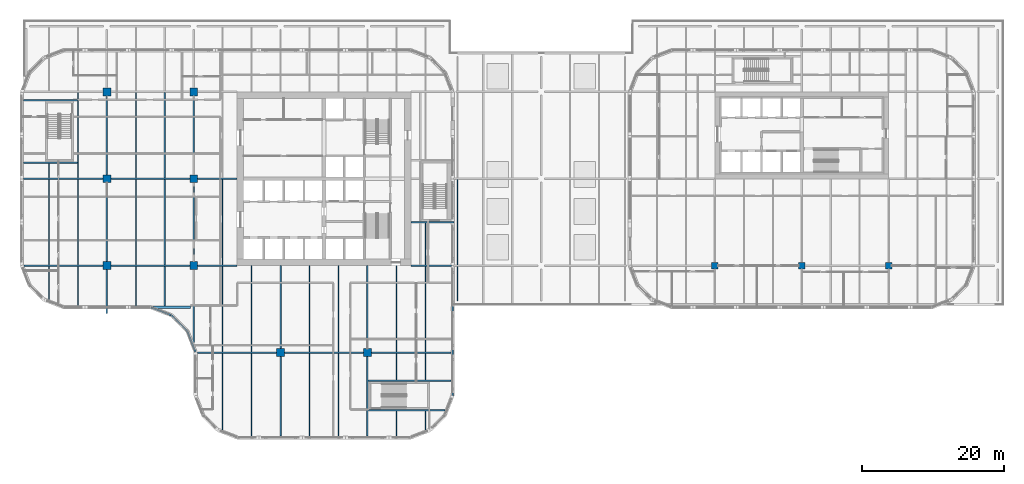
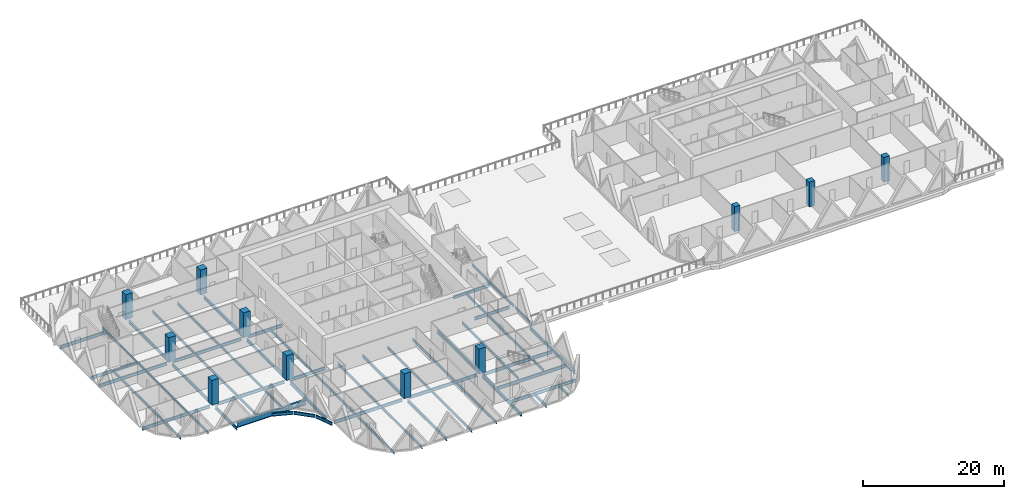
# One storey, part 1 of 21: 60 beams, 11 columns.
"""IFC4 building model written with IfcOpenShell, lengths in metres."""

from ifc_helpers import new_model, si_unit, direction, frame, origin, origin_2d, place, context, subcontext, project, spatial, rectangle, i_section, extrude, material, material_profile, profile_set, type_object, element, save


model = new_model("IFC4")

# Units and contexts
model_context = context("Model", 3, precision=1e-05, world=origin(), true_north=direction((0.0, 1.0)))
body_context = subcontext(model_context, "Body", "Model", "MODEL_VIEW")
ifc_project = project(units=[si_unit("LENGTHUNIT", "METRE"), si_unit("AREAUNIT", "SQUARE_METRE"), si_unit("VOLUMEUNIT", "CUBIC_METRE"), si_unit("PLANEANGLEUNIT", "RADIAN"), si_unit("MASSUNIT", "GRAM", prefix="KILO")], contexts=[model_context])

# Site, building, storey
site_placement = place(None, origin())
site = spatial("IfcSite", under=ifc_project, at=site_placement, CompositionType="ELEMENT")
building_placement = place(site_placement, origin())
building = spatial("IfcBuilding", under=site, at=building_placement, Name="Tessera Gate Towers", CompositionType="ELEMENT")
storey_placement = place(building_placement, frame((0.0, 0.0, 16.800048828125)))
storey = spatial("IfcBuildingStorey", under=building, at=storey_placement, Name="L03", CompositionType="ELEMENT", Elevation=16.800048828125)

# Columns
ifc_material_1 = material(Name="Concrete C70/85", Category="concrete")
ifc_material_profile_1 = material_profile(ifc_material_1, rectangle(XDim=1.10009765625, YDim=1.10009765625, at=origin_2d()), Name="RC 1100x1100")
ifc_profile_set_1 = profile_set([ifc_material_profile_1], Name="Concrete C70/85")
column_type_1 = type_object("IfcColumnType", Name="COLUMN RC 1100x1100", PredefinedType="COLUMN", material=ifc_profile_set_1)
for number, where, z_axis, x_axis, name in (
    (1, (12.199951171875, 24.39990234375, 0.0), (0.0, 0.0, 1.0), (1.0, 0.0, 0.0), "T1-COL-2C-L03"),
    (2, (12.199951171875, 36.60009765625, 0.0), (0.0, 0.0, 1.0), (1.0, 0.0, 0.0), "T1-COL-2D-L03"),
    (3, (12.199951171875, 48.800048828125, 0.0), (0.0, 0.0, 1.0), (1.0, 0.0, 0.0), "T1-COL-2E-L03"),
    (4, (24.39990234375, 24.39990234375, 0.0), (0.0, 0.0, 1.0), (1.0, 0.0, 0.0), "T1-COL-3C-L03"),
    (5, (24.39990234375, 36.60009765625, 0.0), (0.0, 0.0, 1.0), (1.0, 0.0, 0.0), "T1-COL-3D-L03"),
    (6, (24.39990234375, 48.800048828125, 0.0), (0.0, 0.0, 1.0), (1.0, 0.0, 0.0), "T1-COL-3E-L03"),
    (7, (36.60009765625, 12.199951171875, 0.0), (0.0, 0.0, 1.0), (1.0, 0.0, 0.0), "T1-COL-4B-L03"),
    (8, (48.800048828125, 12.199951171875, 0.0), (0.0, 0.0, 1.0), (1.0, 0.0, 0.0), "T1-COL-5B-L03"),
):
    element("IfcColumn", number, at=place(storey_placement, frame(where, z_axis=z_axis, x_axis=x_axis)), inside=storey, type_object=column_type_1, Name=name, PredefinedType="COLUMN", context=body_context, shape_type="SweptSolid", body=[
        extrude(rectangle(XDim=1.10009765625, YDim=1.10009765625, at=origin_2d()), origin(), (0.0, 0.0, 1.0), 4.300048828125),
    ])
ifc_material_2 = material(Name="Concrete C70/85", Category="concrete")
ifc_material_profile_2 = material_profile(ifc_material_2, rectangle(XDim=0.89990234375, YDim=0.89990234375, at=origin_2d()), Name="RC 900x900")
ifc_profile_set_2 = profile_set([ifc_material_profile_2], Name="Concrete C70/85")
column_type_2 = type_object("IfcColumnType", Name="COLUMN RC 900x900", PredefinedType="COLUMN", material=ifc_profile_set_2)
for number, where, z_axis, x_axis, name in (
    (9, (97.60009765625, 24.39990234375, 0.0), (0.0, 0.0, 1.0), (1.0, 0.0, 0.0), "T2-COL-9C-L03"),
    (10, (109.800048828125, 24.39990234375, 0.0), (0.0, 0.0, 1.0), (1.0, 0.0, 0.0), "T2-COL-10C-L03"),
    (11, (122.0, 24.39990234375, 0.0), (0.0, 0.0, 1.0), (1.0, 0.0, 0.0), "T2-COL-11C-L03"),
):
    element("IfcColumn", number, at=place(storey_placement, frame(where, z_axis=z_axis, x_axis=x_axis)), inside=storey, type_object=column_type_2, Name=name, PredefinedType="COLUMN", context=body_context, shape_type="SweptSolid", body=[
        extrude(rectangle(XDim=0.89990234375, YDim=0.89990234375, at=origin_2d()), origin(), (0.0, 0.0, 1.0), 4.300048828125),
    ])

# Beams
ifc_material_3 = material(Name="Steel 350W", Category="steel")
ifc_material_profile_3 = material_profile(ifc_material_3, i_section(OverallWidth=0.208984375, OverallDepth=0.532958984375, WebThickness=0.01025390625, FlangeThickness=0.015625, at=origin_2d()), Name="W530x92")
ifc_profile_set_3 = profile_set([ifc_material_profile_3], Name="Steel 350W")
beam_type_1 = type_object("IfcBeamType", Name="FLOOR GIRDER W530x92", PredefinedType="BEAM", material=ifc_profile_set_3)
beam_1_placement = place(storey_placement, frame((24.89892578125, 12.199951171875, -0.466552734375), z_axis=(1.0, 0.0, 0.0), x_axis=(0.0, 1.0, 0.0)))
element("IfcBeam", 12, at=beam_1_placement, inside=storey, type_object=beam_type_1, Name="T1-GD-L03-563", PredefinedType="BEAM", context=body_context, shape_type="SweptSolid", body=[
    extrude(i_section(OverallWidth=0.208984375, OverallDepth=0.532958984375, WebThickness=0.01025390625, FlangeThickness=0.015625, at=origin_2d()), origin(), (0.0, 0.0, 1.0), 11.151123046875),
])
beam_2_placement = place(storey_placement, frame((37.14990234375, 12.199951171875, -0.466552734375), z_axis=(1.0, 0.0, 0.0), x_axis=(0.0, 1.0, 0.0)))
element("IfcBeam", 13, at=beam_2_placement, inside=storey, type_object=beam_type_1, Name="T1-GD-L03-564", PredefinedType="BEAM", context=body_context, shape_type="SweptSolid", body=[
    extrude(i_section(OverallWidth=0.208984375, OverallDepth=0.532958984375, WebThickness=0.01025390625, FlangeThickness=0.015625, at=origin_2d()), origin(), (0.0, 0.0, 1.0), 11.10009765625),
])
beam_3_placement = place(storey_placement, frame((49.35009765625, 12.199951171875, -0.716552734375), z_axis=(1.0, 0.0, 0.0), x_axis=(0.0, 1.0, 0.0)))
element("IfcBeam", 14, at=beam_3_placement, inside=storey, type_object=beam_type_1, Name="T1-GD-L03-565", PredefinedType="BEAM", context=body_context, shape_type="SweptSolid", body=[
    extrude(i_section(OverallWidth=0.208984375, OverallDepth=0.532958984375, WebThickness=0.01025390625, FlangeThickness=0.015625, at=origin_2d()), origin(), (0.0, 0.0, 1.0), 11.15087890625),
])
beam_4_placement = place(storey_placement, frame((0.534912109375, 24.39990234375, -0.466552734375), z_axis=(1.0, 0.0, 0.0), x_axis=(0.0, 1.0, 0.0)))
element("IfcBeam", 15, at=beam_4_placement, inside=storey, type_object=beam_type_1, Name="T1-GD-L03-566", PredefinedType="BEAM", context=body_context, shape_type="SweptSolid", body=[
    extrude(i_section(OverallWidth=0.208984375, OverallDepth=0.532958984375, WebThickness=0.01025390625, FlangeThickness=0.015625, at=origin_2d()), origin(), (0.0, 0.0, 1.0), 11.114990234375),
])
beam_5_placement = place(storey_placement, frame((12.75, 24.39990234375, -0.466552734375), z_axis=(1.0, 0.0, 0.0), x_axis=(0.0, 1.0, 0.0)))
element("IfcBeam", 16, at=beam_5_placement, inside=storey, type_object=beam_type_1, Name="T1-GD-L03-567", PredefinedType="BEAM", context=body_context, shape_type="SweptSolid", body=[
    extrude(i_section(OverallWidth=0.208984375, OverallDepth=0.532958984375, WebThickness=0.01025390625, FlangeThickness=0.015625, at=origin_2d()), origin(), (0.0, 0.0, 1.0), 11.10009765625),
])
beam_6_placement = place(storey_placement, frame((24.949951171875, 24.39990234375, -0.466552734375), z_axis=(1.0, 0.0, 0.0), x_axis=(0.0, 1.0, 0.0)))
element("IfcBeam", 17, at=beam_6_placement, inside=storey, type_object=beam_type_1, Name="T1-GD-L03-568", PredefinedType="BEAM", context=body_context, shape_type="SweptSolid", body=[
    extrude(i_section(OverallWidth=0.208984375, OverallDepth=0.532958984375, WebThickness=0.01025390625, FlangeThickness=0.015625, at=origin_2d()), origin(), (0.0, 0.0, 1.0), 5.549072265625),
])
beam_7_placement = place(storey_placement, frame((54.90087890625, 24.39990234375, -0.466552734375), z_axis=(1.0, 0.0, 0.0), x_axis=(0.0, 1.0, 0.0)))
element("IfcBeam", 18, at=beam_7_placement, inside=storey, type_object=beam_type_1, Name="T1-GD-L03-569", PredefinedType="BEAM", context=body_context, shape_type="SweptSolid", body=[
    extrude(i_section(OverallWidth=0.208984375, OverallDepth=0.532958984375, WebThickness=0.01025390625, FlangeThickness=0.015625, at=origin_2d()), origin(), (0.0, 0.0, 1.0), 5.72265625),
])
beam_8_placement = place(storey_placement, frame((0.4990234375, 36.60009765625, -0.466552734375), z_axis=(1.0, 0.0, 0.0), x_axis=(0.0, 1.0, 0.0)))
element("IfcBeam", 19, at=beam_8_placement, inside=storey, type_object=beam_type_1, Name="T1-GD-L03-570", PredefinedType="BEAM", context=body_context, shape_type="SweptSolid", body=[
    extrude(i_section(OverallWidth=0.208984375, OverallDepth=0.532958984375, WebThickness=0.01025390625, FlangeThickness=0.015625, at=origin_2d()), origin(), (0.0, 0.0, 1.0), 11.15087890625),
])
beam_9_placement = place(storey_placement, frame((12.75, 36.60009765625, -0.466552734375), z_axis=(1.0, 0.0, 0.0), x_axis=(0.0, 1.0, 0.0)))
element("IfcBeam", 20, at=beam_9_placement, inside=storey, type_object=beam_type_1, Name="T1-GD-L03-571", PredefinedType="BEAM", context=body_context, shape_type="SweptSolid", body=[
    extrude(i_section(OverallWidth=0.208984375, OverallDepth=0.532958984375, WebThickness=0.01025390625, FlangeThickness=0.015625, at=origin_2d()), origin(), (0.0, 0.0, 1.0), 11.10009765625),
])
beam_10_placement = place(storey_placement, frame((24.949951171875, 36.60009765625, -0.466552734375), z_axis=(1.0, 0.0, 0.0), x_axis=(0.0, 1.0, 0.0)))
element("IfcBeam", 21, at=beam_10_placement, inside=storey, type_object=beam_type_1, Name="T1-GD-L03-572", PredefinedType="BEAM", context=body_context, shape_type="SweptSolid", body=[
    extrude(i_section(OverallWidth=0.208984375, OverallDepth=0.532958984375, WebThickness=0.01025390625, FlangeThickness=0.015625, at=origin_2d()), origin(), (0.0, 0.0, 1.0), 5.551025390625),
])
beam_11_placement = place(storey_placement, frame((12.199951171875, 17.710693359375, -0.466552734375), z_axis=(0.0, 1.0, 0.0), x_axis=(-1.0, 0.0, 0.0)))
element("IfcBeam", 22, at=beam_11_placement, inside=storey, type_object=beam_type_1, Name="T1-GD-L03-578", PredefinedType="BEAM", context=body_context, shape_type="SweptSolid", body=[
    extrude(i_section(OverallWidth=0.208984375, OverallDepth=0.532958984375, WebThickness=0.01025390625, FlangeThickness=0.015625, at=origin_2d()), origin(), (0.0, 0.0, 1.0), 6.139404296875),
])
for number, where, z_axis, x_axis, name in (
    (23, (12.199951171875, 24.949951171875, -0.466552734375), (0.0, 1.0, 0.0), (-1.0, 0.0, 0.0), "T1-GD-L03-579"),
    (24, (12.199951171875, 37.14990234375, -0.466552734375), (0.0, 1.0, 0.0), (-1.0, 0.0, 0.0), "T1-GD-L03-580"),
):
    element("IfcBeam", number, at=place(storey_placement, frame(where, z_axis=z_axis, x_axis=x_axis)), inside=storey, type_object=beam_type_1, Name=name, PredefinedType="BEAM", context=body_context, shape_type="SweptSolid", body=[
        extrude(i_section(OverallWidth=0.208984375, OverallDepth=0.532958984375, WebThickness=0.01025390625, FlangeThickness=0.015625, at=origin_2d()), origin(), (0.0, 0.0, 1.0), 11.10009765625),
    ])
beam_12_placement = place(storey_placement, frame((24.39990234375, 13.58642578125, -0.466552734375), z_axis=(0.0, 1.0, 0.0), x_axis=(-1.0, 0.0, 0.0)))
element("IfcBeam", 25, at=beam_12_placement, inside=storey, type_object=beam_type_1, Name="T1-GD-L03-582", PredefinedType="BEAM", context=body_context, shape_type="SweptSolid", body=[
    extrude(i_section(OverallWidth=0.208984375, OverallDepth=0.532958984375, WebThickness=0.01025390625, FlangeThickness=0.015625, at=origin_2d()), origin(), (0.0, 0.0, 1.0), 10.263671875),
])
for number, where, z_axis, x_axis, name in (
    (26, (24.39990234375, 24.949951171875, -0.466552734375), (0.0, 1.0, 0.0), (-1.0, 0.0, 0.0), "T1-GD-L03-583"),
    (27, (24.39990234375, 37.14990234375, -0.466552734375), (0.0, 1.0, 0.0), (-1.0, 0.0, 0.0), "T1-GD-L03-584"),
):
    element("IfcBeam", number, at=place(storey_placement, frame(where, z_axis=z_axis, x_axis=x_axis)), inside=storey, type_object=beam_type_1, Name=name, PredefinedType="BEAM", context=body_context, shape_type="SweptSolid", body=[
        extrude(i_section(OverallWidth=0.208984375, OverallDepth=0.532958984375, WebThickness=0.01025390625, FlangeThickness=0.015625, at=origin_2d()), origin(), (0.0, 0.0, 1.0), 11.10009765625),
    ])
beam_13_placement = place(storey_placement, frame((36.60009765625, 0.4990234375, -0.466552734375), z_axis=(0.0, 1.0, 0.0), x_axis=(-1.0, 0.0, 0.0)))
element("IfcBeam", 28, at=beam_13_placement, inside=storey, type_object=beam_type_1, Name="T1-GD-L03-586", PredefinedType="BEAM", context=body_context, shape_type="SweptSolid", body=[
    extrude(i_section(OverallWidth=0.208984375, OverallDepth=0.532958984375, WebThickness=0.01025390625, FlangeThickness=0.015625, at=origin_2d()), origin(), (0.0, 0.0, 1.0), 11.15087890625),
])
beam_14_placement = place(storey_placement, frame((36.60009765625, 12.75, -0.466552734375), z_axis=(0.0, 1.0, 0.0), x_axis=(-1.0, 0.0, 0.0)))
element("IfcBeam", 29, at=beam_14_placement, inside=storey, type_object=beam_type_1, Name="T1-GD-L03-587", PredefinedType="BEAM", context=body_context, shape_type="SweptSolid", body=[
    extrude(i_section(OverallWidth=0.208984375, OverallDepth=0.532958984375, WebThickness=0.01025390625, FlangeThickness=0.015625, at=origin_2d()), origin(), (0.0, 0.0, 1.0), 11.64990234375),
])
beam_15_placement = place(storey_placement, frame((48.800048828125, 0.4990234375, -0.466552734375), z_axis=(0.0, 1.0, 0.0), x_axis=(-1.0, 0.0, 0.0)))
element("IfcBeam", 30, at=beam_15_placement, inside=storey, type_object=beam_type_1, Name="T1-GD-L03-588", PredefinedType="BEAM", context=body_context, shape_type="SweptSolid", body=[
    extrude(i_section(OverallWidth=0.208984375, OverallDepth=0.532958984375, WebThickness=0.01025390625, FlangeThickness=0.015625, at=origin_2d()), origin(), (0.0, 0.0, 1.0), 11.15087890625),
])
beam_16_placement = place(storey_placement, frame((48.800048828125, 12.75, -0.466552734375), z_axis=(0.0, 1.0, 0.0), x_axis=(-1.0, 0.0, 0.0)))
element("IfcBeam", 31, at=beam_16_placement, inside=storey, type_object=beam_type_1, Name="T1-GD-L03-589", PredefinedType="BEAM", context=body_context, shape_type="SweptSolid", body=[
    extrude(i_section(OverallWidth=0.208984375, OverallDepth=0.532958984375, WebThickness=0.01025390625, FlangeThickness=0.015625, at=origin_2d()), origin(), (0.0, 0.0, 1.0), 11.64990234375),
])
for number, where, z_axis, x_axis, name in (
    (32, (0.4990234375, 38.8798828125, -0.466552734375), (1.0, 0.0, 0.0), (0.0, 1.0, 0.0), "T1-GD-L03-590"),
    (33, (0.4990234375, 47.6201171875, -0.466552734375), (1.0, 0.0, 0.0), (0.0, 1.0, 0.0), "T1-GD-L03-591"),
):
    element("IfcBeam", number, at=place(storey_placement, frame(where, z_axis=z_axis, x_axis=x_axis)), inside=storey, type_object=beam_type_1, Name=name, PredefinedType="BEAM", context=body_context, shape_type="SweptSolid", body=[
        extrude(i_section(OverallWidth=0.208984375, OverallDepth=0.532958984375, WebThickness=0.01025390625, FlangeThickness=0.015625, at=origin_2d()), origin(), (0.0, 0.0, 1.0), 7.557861328125),
    ])
beam_17_placement = place(storey_placement, frame((48.87646484375, 4.080078125, -0.466552734375), z_axis=(1.0, 0.0, 0.0), x_axis=(0.0, 1.0, 0.0)))
element("IfcBeam", 34, at=beam_17_placement, inside=storey, type_object=beam_type_1, Name="T1-GD-L03-592", PredefinedType="BEAM", context=body_context, shape_type="SweptSolid", body=[
    extrude(i_section(OverallWidth=0.208984375, OverallDepth=0.532958984375, WebThickness=0.01025390625, FlangeThickness=0.015625, at=origin_2d()), origin(), (0.0, 0.0, 1.0), 10.809326171875),
])
beam_18_placement = place(storey_placement, frame((48.87646484375, 8.219970703125, -0.716552734375), z_axis=(1.0, 0.0, 0.0), x_axis=(0.0, 1.0, 0.0)))
element("IfcBeam", 35, at=beam_18_placement, inside=storey, type_object=beam_type_1, Name="T1-GD-L03-593", PredefinedType="BEAM", context=body_context, shape_type="SweptSolid", body=[
    extrude(i_section(OverallWidth=0.208984375, OverallDepth=0.532958984375, WebThickness=0.01025390625, FlangeThickness=0.015625, at=origin_2d()), origin(), (0.0, 0.0, 1.0), 11.62451171875),
])
beam_19_placement = place(storey_placement, frame((54.89892578125, 30.47998046875, -0.466552734375), z_axis=(1.0, 0.0, 0.0), x_axis=(0.0, 1.0, 0.0)))
element("IfcBeam", 36, at=beam_19_placement, inside=storey, type_object=beam_type_1, Name="T1-GD-L03-594", PredefinedType="BEAM", context=body_context, shape_type="SweptSolid", body=[
    extrude(i_section(OverallWidth=0.208984375, OverallDepth=0.532958984375, WebThickness=0.01025390625, FlangeThickness=0.015625, at=origin_2d()), origin(), (0.0, 0.0, 1.0), 6.024658203125),
])
beam_20_placement = place(storey_placement, frame((60.75, 6.10009765625, -0.716552734375), z_axis=(0.0, 1.0, 0.0), x_axis=(-1.0, 0.0, 0.0)))
element("IfcBeam", 37, at=beam_20_placement, inside=storey, type_object=beam_type_1, Name="PD-R-GD-L03-708", PredefinedType="BEAM", context=body_context, shape_type="SweptSolid", body=[
    extrude(i_section(OverallWidth=0.208984375, OverallDepth=0.532958984375, WebThickness=0.01025390625, FlangeThickness=0.015625, at=origin_2d()), origin(), (0.0, 0.0, 1.0), 12.699951171875),
])
beam_21_placement = place(storey_placement, frame((18.389892578125, 18.533203125, -0.716552734375), z_axis=(0.932998586806, -0.359880031424, 0.0), x_axis=(0.359880031424, 0.932998586806, 0.0)))
element("IfcBeam", 38, at=beam_21_placement, inside=storey, type_object=beam_type_1, Name="PD-R-GD-L03-709", PredefinedType="BEAM", context=body_context, shape_type="SweptSolid", body=[
    extrude(i_section(OverallWidth=0.208984375, OverallDepth=0.532958984375, WebThickness=0.01025390625, FlangeThickness=0.015625, at=origin_2d()), origin(), (0.0, 0.0, 1.0), 3.050048828125),
])
for number, where, z_axis, x_axis, name in (
    (39, (21.322509765625, 17.379150390625, -0.716552734375), (0.707066755897, -0.707146804211, 0.0), (0.707146804211, 0.707066755897, 0.0), "PD-R-GD-L03-710"),
    (40, (23.535400390625, 15.135498046875, -0.716552734375), (0.359976587907, -0.932961336904, 0.0), (0.932961336904, 0.359976587907, 0.0), "PD-R-GD-L03-711"),
):
    element("IfcBeam", number, at=place(storey_placement, frame(where, z_axis=z_axis, x_axis=x_axis)), inside=storey, type_object=beam_type_1, Name=name, PredefinedType="BEAM", context=body_context, shape_type="SweptSolid", body=[
        extrude(i_section(OverallWidth=0.208984375, OverallDepth=0.532958984375, WebThickness=0.01025390625, FlangeThickness=0.015625, at=origin_2d()), origin(), (0.0, 0.0, 1.0), 3.0498046875),
    ])
ifc_material_4 = material(Name="Steel 350W", Category="steel")
ifc_material_profile_4 = material_profile(ifc_material_4, i_section(OverallWidth=0.153076171875, OverallDepth=0.455078125, WebThickness=0.008056640625, FlangeThickness=0.01318359375, at=origin_2d()), Name="W460x60")
ifc_profile_set_4 = profile_set([ifc_material_profile_4], Name="Steel 350W")
beam_type_2 = type_object("IfcBeamType", Name="FLOOR SECONDARY W460x60", PredefinedType="BEAM", material=ifc_profile_set_4)
beam_22_placement = place(storey_placement, frame((4.0908203125, 19.61083984375, -0.427490234375), z_axis=(0.0, 1.0, 0.0), x_axis=(-1.0, 0.0, 0.0)))
element("IfcBeam", 41, at=beam_22_placement, inside=storey, type_object=beam_type_2, Name="T1-BM-L03-597", PredefinedType="BEAM", context=body_context, shape_type="SweptSolid", body=[
    extrude(i_section(OverallWidth=0.153076171875, OverallDepth=0.455078125, WebThickness=0.008056640625, FlangeThickness=0.01318359375, at=origin_2d()), origin(), (0.0, 0.0, 1.0), 4.6845703125),
])
beam_23_placement = place(storey_placement, frame((4.0908203125, 24.50439453125, -0.427490234375), z_axis=(0.0, 1.0, 0.0), x_axis=(-1.0, 0.0, 0.0)))
element("IfcBeam", 42, at=beam_23_placement, inside=storey, type_object=beam_type_2, Name="T1-BM-L03-598", PredefinedType="BEAM", context=body_context, shape_type="SweptSolid", body=[
    extrude(i_section(OverallWidth=0.153076171875, OverallDepth=0.455078125, WebThickness=0.008056640625, FlangeThickness=0.01318359375, at=origin_2d()), origin(), (0.0, 0.0, 1.0), 11.9912109375),
])
beam_24_placement = place(storey_placement, frame((4.0908203125, 36.70458984375, -0.427490234375), z_axis=(0.0, 1.0, 0.0), x_axis=(-1.0, 0.0, 0.0)))
element("IfcBeam", 43, at=beam_24_placement, inside=storey, type_object=beam_type_2, Name="T1-BM-L03-599", PredefinedType="BEAM", context=body_context, shape_type="SweptSolid", body=[
    extrude(i_section(OverallWidth=0.153076171875, OverallDepth=0.455078125, WebThickness=0.008056640625, FlangeThickness=0.01318359375, at=origin_2d()), origin(), (0.0, 0.0, 1.0), 2.07080078125),
])
beam_25_placement = place(storey_placement, frame((8.13330078125, 18.800048828125, -0.427490234375), z_axis=(0.0, 1.0, 0.0), x_axis=(-1.0, 0.0, 0.0)))
element("IfcBeam", 44, at=beam_25_placement, inside=storey, type_object=beam_type_2, Name="T1-BM-L03-601", PredefinedType="BEAM", context=body_context, shape_type="SweptSolid", body=[
    extrude(i_section(OverallWidth=0.153076171875, OverallDepth=0.455078125, WebThickness=0.008056640625, FlangeThickness=0.01318359375, at=origin_2d()), origin(), (0.0, 0.0, 1.0), 5.495361328125),
])
beam_26_placement = place(storey_placement, frame((8.13330078125, 24.50439453125, -0.427490234375), z_axis=(0.0, 1.0, 0.0), x_axis=(-1.0, 0.0, 0.0)))
element("IfcBeam", 45, at=beam_26_placement, inside=storey, type_object=beam_type_2, Name="T1-BM-L03-602", PredefinedType="BEAM", context=body_context, shape_type="SweptSolid", body=[
    extrude(i_section(OverallWidth=0.153076171875, OverallDepth=0.455078125, WebThickness=0.008056640625, FlangeThickness=0.01318359375, at=origin_2d()), origin(), (0.0, 0.0, 1.0), 11.9912109375),
])
beam_27_placement = place(storey_placement, frame((8.13330078125, 36.70458984375, -0.427490234375), z_axis=(0.0, 1.0, 0.0), x_axis=(-1.0, 0.0, 0.0)))
element("IfcBeam", 46, at=beam_27_placement, inside=storey, type_object=beam_type_2, Name="T1-BM-L03-603", PredefinedType="BEAM", context=body_context, shape_type="SweptSolid", body=[
    extrude(i_section(OverallWidth=0.153076171875, OverallDepth=0.455078125, WebThickness=0.008056640625, FlangeThickness=0.01318359375, at=origin_2d()), origin(), (0.0, 0.0, 1.0), 11.990966796875),
])
beam_28_placement = place(storey_placement, frame((16.2666015625, 18.702392578125, -0.427490234375), z_axis=(0.0, 1.0, 0.0), x_axis=(-1.0, 0.0, 0.0)))
element("IfcBeam", 47, at=beam_28_placement, inside=storey, type_object=beam_type_2, Name="T1-BM-L03-605", PredefinedType="BEAM", context=body_context, shape_type="SweptSolid", body=[
    extrude(i_section(OverallWidth=0.153076171875, OverallDepth=0.455078125, WebThickness=0.008056640625, FlangeThickness=0.01318359375, at=origin_2d()), origin(), (0.0, 0.0, 1.0), 5.593017578125),
])
beam_29_placement = place(storey_placement, frame((16.2666015625, 24.50439453125, -0.427490234375), z_axis=(0.0, 1.0, 0.0), x_axis=(-1.0, 0.0, 0.0)))
element("IfcBeam", 48, at=beam_29_placement, inside=storey, type_object=beam_type_2, Name="T1-BM-L03-606", PredefinedType="BEAM", context=body_context, shape_type="SweptSolid", body=[
    extrude(i_section(OverallWidth=0.153076171875, OverallDepth=0.455078125, WebThickness=0.008056640625, FlangeThickness=0.01318359375, at=origin_2d()), origin(), (0.0, 0.0, 1.0), 11.9912109375),
])
beam_30_placement = place(storey_placement, frame((16.2666015625, 36.70458984375, -0.427490234375), z_axis=(0.0, 1.0, 0.0), x_axis=(-1.0, 0.0, 0.0)))
element("IfcBeam", 49, at=beam_30_placement, inside=storey, type_object=beam_type_2, Name="T1-BM-L03-607", PredefinedType="BEAM", context=body_context, shape_type="SweptSolid", body=[
    extrude(i_section(OverallWidth=0.153076171875, OverallDepth=0.455078125, WebThickness=0.008056640625, FlangeThickness=0.01318359375, at=origin_2d()), origin(), (0.0, 0.0, 1.0), 11.990966796875),
])
beam_31_placement = place(storey_placement, frame((20.333251953125, 18.702392578125, -0.427490234375), z_axis=(0.0, 1.0, 0.0), x_axis=(-1.0, 0.0, 0.0)))
element("IfcBeam", 50, at=beam_31_placement, inside=storey, type_object=beam_type_2, Name="T1-BM-L03-609", PredefinedType="BEAM", context=body_context, shape_type="SweptSolid", body=[
    extrude(i_section(OverallWidth=0.153076171875, OverallDepth=0.455078125, WebThickness=0.008056640625, FlangeThickness=0.01318359375, at=origin_2d()), origin(), (0.0, 0.0, 1.0), 5.593017578125),
])
beam_32_placement = place(storey_placement, frame((20.333251953125, 24.50439453125, -0.427490234375), z_axis=(0.0, 1.0, 0.0), x_axis=(-1.0, 0.0, 0.0)))
element("IfcBeam", 51, at=beam_32_placement, inside=storey, type_object=beam_type_2, Name="T1-BM-L03-610", PredefinedType="BEAM", context=body_context, shape_type="SweptSolid", body=[
    extrude(i_section(OverallWidth=0.153076171875, OverallDepth=0.455078125, WebThickness=0.008056640625, FlangeThickness=0.01318359375, at=origin_2d()), origin(), (0.0, 0.0, 1.0), 11.9912109375),
])
beam_33_placement = place(storey_placement, frame((20.333251953125, 36.70458984375, -0.427490234375), z_axis=(0.0, 1.0, 0.0), x_axis=(-1.0, 0.0, 0.0)))
element("IfcBeam", 52, at=beam_33_placement, inside=storey, type_object=beam_type_2, Name="T1-BM-L03-611", PredefinedType="BEAM", context=body_context, shape_type="SweptSolid", body=[
    extrude(i_section(OverallWidth=0.153076171875, OverallDepth=0.455078125, WebThickness=0.008056640625, FlangeThickness=0.01318359375, at=origin_2d()), origin(), (0.0, 0.0, 1.0), 11.990966796875),
])
beam_34_placement = place(storey_placement, frame((28.466796875, 1.3203125, -0.427490234375), z_axis=(0.0, 1.0, 0.0), x_axis=(-1.0, 0.0, 0.0)))
element("IfcBeam", 53, at=beam_34_placement, inside=storey, type_object=beam_type_2, Name="T1-BM-L03-613", PredefinedType="BEAM", context=body_context, shape_type="SweptSolid", body=[
    extrude(i_section(OverallWidth=0.153076171875, OverallDepth=0.455078125, WebThickness=0.008056640625, FlangeThickness=0.01318359375, at=origin_2d()), origin(), (0.0, 0.0, 1.0), 10.775146484375),
])
beam_35_placement = place(storey_placement, frame((28.466796875, 12.304443359375, -0.427490234375), z_axis=(0.0, 1.0, 0.0), x_axis=(-1.0, 0.0, 0.0)))
element("IfcBeam", 54, at=beam_35_placement, inside=storey, type_object=beam_type_2, Name="T1-BM-L03-614", PredefinedType="BEAM", context=body_context, shape_type="SweptSolid", body=[
    extrude(i_section(OverallWidth=0.153076171875, OverallDepth=0.455078125, WebThickness=0.008056640625, FlangeThickness=0.01318359375, at=origin_2d()), origin(), (0.0, 0.0, 1.0), 11.990966796875),
])
beam_36_placement = place(storey_placement, frame((28.466796875, 24.50439453125, -0.427490234375), z_axis=(0.0, 1.0, 0.0), x_axis=(-1.0, 0.0, 0.0)))
element("IfcBeam", 55, at=beam_36_placement, inside=storey, type_object=beam_type_2, Name="T1-BM-L03-615", PredefinedType="BEAM", context=body_context, shape_type="SweptSolid", body=[
    extrude(i_section(OverallWidth=0.153076171875, OverallDepth=0.455078125, WebThickness=0.008056640625, FlangeThickness=0.01318359375, at=origin_2d()), origin(), (0.0, 0.0, 1.0), 11.9912109375),
])
beam_37_placement = place(storey_placement, frame((32.533203125, 0.5, -0.427490234375), z_axis=(0.0, 1.0, 0.0), x_axis=(-1.0, 0.0, 0.0)))
element("IfcBeam", 56, at=beam_37_placement, inside=storey, type_object=beam_type_2, Name="T1-BM-L03-618", PredefinedType="BEAM", context=body_context, shape_type="SweptSolid", body=[
    extrude(i_section(OverallWidth=0.153076171875, OverallDepth=0.455078125, WebThickness=0.008056640625, FlangeThickness=0.01318359375, at=origin_2d()), origin(), (0.0, 0.0, 1.0), 11.595458984375),
])
beam_38_placement = place(storey_placement, frame((32.533203125, 12.304443359375, -0.427490234375), z_axis=(0.0, 1.0, 0.0), x_axis=(-1.0, 0.0, 0.0)))
element("IfcBeam", 57, at=beam_38_placement, inside=storey, type_object=beam_type_2, Name="T1-BM-L03-619", PredefinedType="BEAM", context=body_context, shape_type="SweptSolid", body=[
    extrude(i_section(OverallWidth=0.153076171875, OverallDepth=0.455078125, WebThickness=0.008056640625, FlangeThickness=0.01318359375, at=origin_2d()), origin(), (0.0, 0.0, 1.0), 12.095458984375),
])
beam_39_placement = place(storey_placement, frame((40.666748046875, 0.5, -0.427490234375), z_axis=(0.0, 1.0, 0.0), x_axis=(-1.0, 0.0, 0.0)))
element("IfcBeam", 58, at=beam_39_placement, inside=storey, type_object=beam_type_2, Name="T1-BM-L03-622", PredefinedType="BEAM", context=body_context, shape_type="SweptSolid", body=[
    extrude(i_section(OverallWidth=0.153076171875, OverallDepth=0.455078125, WebThickness=0.008056640625, FlangeThickness=0.01318359375, at=origin_2d()), origin(), (0.0, 0.0, 1.0), 11.595458984375),
])
beam_40_placement = place(storey_placement, frame((40.666748046875, 12.304443359375, -0.427490234375), z_axis=(0.0, 1.0, 0.0), x_axis=(-1.0, 0.0, 0.0)))
element("IfcBeam", 59, at=beam_40_placement, inside=storey, type_object=beam_type_2, Name="T1-BM-L03-623", PredefinedType="BEAM", context=body_context, shape_type="SweptSolid", body=[
    extrude(i_section(OverallWidth=0.153076171875, OverallDepth=0.455078125, WebThickness=0.008056640625, FlangeThickness=0.01318359375, at=origin_2d()), origin(), (0.0, 0.0, 1.0), 12.095458984375),
])
beam_41_placement = place(storey_placement, frame((44.7333984375, 0.5, -0.427490234375), z_axis=(0.0, 1.0, 0.0), x_axis=(-1.0, 0.0, 0.0)))
element("IfcBeam", 60, at=beam_41_placement, inside=storey, type_object=beam_type_2, Name="T1-BM-L03-625", PredefinedType="BEAM", context=body_context, shape_type="SweptSolid", body=[
    extrude(i_section(OverallWidth=0.153076171875, OverallDepth=0.455078125, WebThickness=0.008056640625, FlangeThickness=0.01318359375, at=origin_2d()), origin(), (0.0, 0.0, 1.0), 11.595458984375),
])
beam_42_placement = place(storey_placement, frame((44.7333984375, 12.304443359375, -0.427490234375), z_axis=(0.0, 1.0, 0.0), x_axis=(-1.0, 0.0, 0.0)))
element("IfcBeam", 61, at=beam_42_placement, inside=storey, type_object=beam_type_2, Name="T1-BM-L03-626", PredefinedType="BEAM", context=body_context, shape_type="SweptSolid", body=[
    extrude(i_section(OverallWidth=0.153076171875, OverallDepth=0.455078125, WebThickness=0.008056640625, FlangeThickness=0.01318359375, at=origin_2d()), origin(), (0.0, 0.0, 1.0), 12.095458984375),
])
beam_43_placement = place(storey_placement, frame((52.86669921875, 0.5, -0.427490234375), z_axis=(0.0, 1.0, 0.0), x_axis=(-1.0, 0.0, 0.0)))
element("IfcBeam", 62, at=beam_43_placement, inside=storey, type_object=beam_type_2, Name="T1-BM-L03-629", PredefinedType="BEAM", context=body_context, shape_type="SweptSolid", body=[
    extrude(i_section(OverallWidth=0.153076171875, OverallDepth=0.455078125, WebThickness=0.008056640625, FlangeThickness=0.01318359375, at=origin_2d()), origin(), (0.0, 0.0, 1.0), 3.4755859375),
])
beam_44_placement = place(storey_placement, frame((52.86669921875, 8.324462890625, -0.427490234375), z_axis=(0.0, 1.0, 0.0), x_axis=(-1.0, 0.0, 0.0)))
element("IfcBeam", 63, at=beam_44_placement, inside=storey, type_object=beam_type_2, Name="T1-BM-L03-630", PredefinedType="BEAM", context=body_context, shape_type="SweptSolid", body=[
    extrude(i_section(OverallWidth=0.153076171875, OverallDepth=0.455078125, WebThickness=0.008056640625, FlangeThickness=0.01318359375, at=origin_2d()), origin(), (0.0, 0.0, 1.0), 3.77099609375),
])
beam_45_placement = place(storey_placement, frame((52.86669921875, 12.304443359375, -0.427490234375), z_axis=(0.0, 1.0, 0.0), x_axis=(-1.0, 0.0, 0.0)))
element("IfcBeam", 64, at=beam_45_placement, inside=storey, type_object=beam_type_2, Name="T1-BM-L03-631", PredefinedType="BEAM", context=body_context, shape_type="SweptSolid", body=[
    extrude(i_section(OverallWidth=0.153076171875, OverallDepth=0.455078125, WebThickness=0.008056640625, FlangeThickness=0.01318359375, at=origin_2d()), origin(), (0.0, 0.0, 1.0), 12.095458984375),
])
beam_46_placement = place(storey_placement, frame((56.933349609375, 1.3203125, -0.427490234375), z_axis=(0.0, 1.0, 0.0), x_axis=(-1.0, 0.0, 0.0)))
element("IfcBeam", 65, at=beam_46_placement, inside=storey, type_object=beam_type_2, Name="T1-BM-L03-633", PredefinedType="BEAM", context=body_context, shape_type="SweptSolid", body=[
    extrude(i_section(OverallWidth=0.153076171875, OverallDepth=0.455078125, WebThickness=0.008056640625, FlangeThickness=0.01318359375, at=origin_2d()), origin(), (0.0, 0.0, 1.0), 2.6552734375),
])
beam_47_placement = place(storey_placement, frame((56.933349609375, 8.324462890625, -0.427490234375), z_axis=(0.0, 1.0, 0.0), x_axis=(-1.0, 0.0, 0.0)))
element("IfcBeam", 66, at=beam_47_placement, inside=storey, type_object=beam_type_2, Name="T1-BM-L03-634", PredefinedType="BEAM", context=body_context, shape_type="SweptSolid", body=[
    extrude(i_section(OverallWidth=0.153076171875, OverallDepth=0.455078125, WebThickness=0.008056640625, FlangeThickness=0.01318359375, at=origin_2d()), origin(), (0.0, 0.0, 1.0), 3.77099609375),
])
beam_48_placement = place(storey_placement, frame((56.933349609375, 12.304443359375, -0.427490234375), z_axis=(0.0, 1.0, 0.0), x_axis=(-1.0, 0.0, 0.0)))
element("IfcBeam", 67, at=beam_48_placement, inside=storey, type_object=beam_type_2, Name="T1-BM-L03-635", PredefinedType="BEAM", context=body_context, shape_type="SweptSolid", body=[
    extrude(i_section(OverallWidth=0.153076171875, OverallDepth=0.455078125, WebThickness=0.008056640625, FlangeThickness=0.01318359375, at=origin_2d()), origin(), (0.0, 0.0, 1.0), 11.990966796875),
])
beam_49_placement = place(storey_placement, frame((56.933349609375, 24.50439453125, -0.427490234375), z_axis=(0.0, 1.0, 0.0), x_axis=(-1.0, 0.0, 0.0)))
element("IfcBeam", 68, at=beam_49_placement, inside=storey, type_object=beam_type_2, Name="T1-BM-L03-636", PredefinedType="BEAM", context=body_context, shape_type="SweptSolid", body=[
    extrude(i_section(OverallWidth=0.153076171875, OverallDepth=0.455078125, WebThickness=0.008056640625, FlangeThickness=0.01318359375, at=origin_2d()), origin(), (0.0, 0.0, 1.0), 5.87109375),
])
beam_50_placement = place(storey_placement, frame((61.430908203125, 19.449951171875, -0.677490234375), z_axis=(0.0, 1.0, 0.0), x_axis=(-1.0, 0.0, 0.0)))
element("IfcBeam", 69, at=beam_50_placement, inside=storey, type_object=beam_type_2, Name="PD-R-BM-L03-752", PredefinedType="BEAM", context=body_context, shape_type="SweptSolid", body=[
    extrude(i_section(OverallWidth=0.153076171875, OverallDepth=0.455078125, WebThickness=0.008056640625, FlangeThickness=0.01318359375, at=origin_2d()), origin(), (0.0, 0.0, 1.0), 4.845458984375),
])
beam_51_placement = place(storey_placement, frame((61.430908203125, 24.50439453125, -0.677490234375), z_axis=(0.0, 1.0, 0.0), x_axis=(-1.0, 0.0, 0.0)))
element("IfcBeam", 70, at=beam_51_placement, inside=storey, type_object=beam_type_2, Name="PD-R-BM-L03-753", PredefinedType="BEAM", context=body_context, shape_type="SweptSolid", body=[
    extrude(i_section(OverallWidth=0.153076171875, OverallDepth=0.455078125, WebThickness=0.008056640625, FlangeThickness=0.01318359375, at=origin_2d()), origin(), (0.0, 0.0, 1.0), 11.9912109375),
])
ifc_material_5 = material(Name="Steel 350W", Category="steel")
ifc_material_profile_5 = material_profile(ifc_material_5, i_section(OverallWidth=0.304931640625, OverallDepth=0.9150390625, WebThickness=0.01611328125, FlangeThickness=0.02587890625, at=origin_2d()), Name="W920x238")
ifc_profile_set_5 = profile_set([ifc_material_profile_5], Name="Steel 350W")
beam_type_3 = type_object("IfcBeamType", Name="TRANSFER GIRDER W920x238", PredefinedType="BEAM", material=ifc_profile_set_5)
beam_52_placement = place(storey_placement, frame((12.64990234375, 18.550048828125, -0.45751953125), z_axis=(1.0, 0.0, 0.0), x_axis=(0.0, 1.0, 0.0)))
element("IfcBeam", 71, at=beam_52_placement, inside=storey, type_object=beam_type_3, Name="PD-GD-MOUTH", PredefinedType="BEAM", context=body_context, shape_type="SweptSolid", body=[
    extrude(i_section(OverallWidth=0.304931640625, OverallDepth=0.9150390625, WebThickness=0.01611328125, FlangeThickness=0.02587890625, at=origin_2d()), origin(), (0.0, 0.0, 1.0), 11.300048828125),
])

save(model, "model.ifc")
